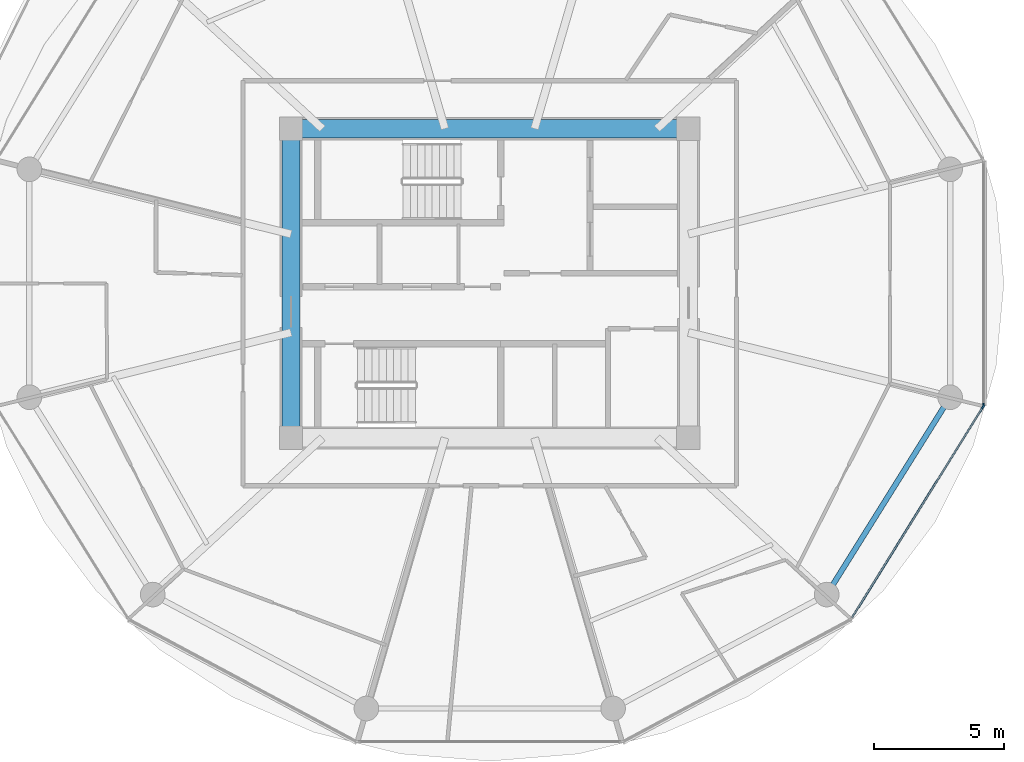
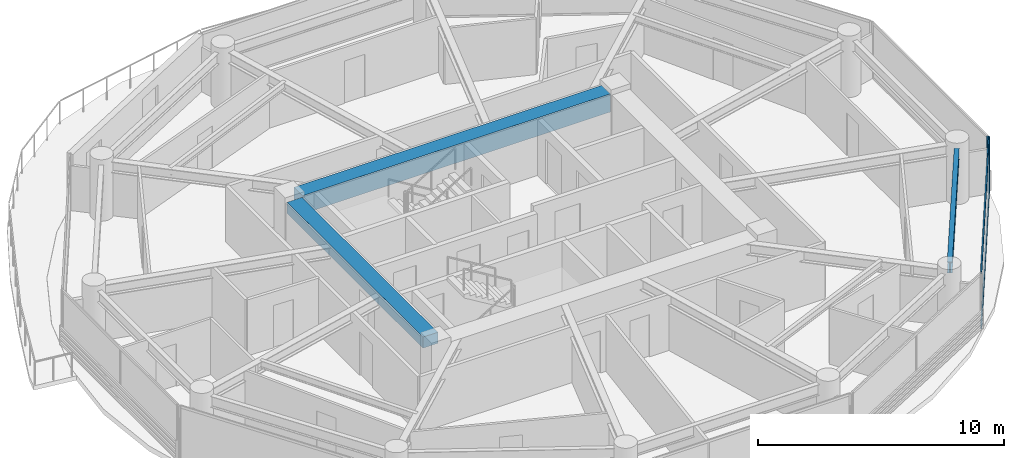
# One storey, part 11 of 26: 4 members, 3 beams, 2 elements without a shape of their own.
"""IFC4 building model written with IfcOpenShell, lengths in metres."""

from ifc_helpers import new_model, si_unit, direction, frame, origin, origin_2d, place, context, subcontext, project, spatial, rectangle, i_section, extrude, source, transform, mapped, material, layer, layer_set, material_profile, profile_set, type_object, type_shapes, element, aggregate, save


model = new_model("IFC4")

# Units and contexts
model_context = context("Model", 3, precision=1e-05, world=origin(), true_north=direction((0.0, 1.0)))
body_context = subcontext(model_context, "Body", "Model", "MODEL_VIEW")
ifc_project = project(units=[si_unit("LENGTHUNIT", "METRE"), si_unit("AREAUNIT", "SQUARE_METRE"), si_unit("VOLUMEUNIT", "CUBIC_METRE"), si_unit("PLANEANGLEUNIT", "RADIAN"), si_unit("MASSUNIT", "GRAM", prefix="KILO")], contexts=[model_context])

# Site, building, storey
site_placement = place(None, origin())
site = spatial("IfcSite", under=ifc_project, at=site_placement, CompositionType="ELEMENT")
building_placement = place(site_placement, origin())
building = spatial("IfcBuilding", under=site, at=building_placement, Name="Norrkilde Senior Care Towers", CompositionType="ELEMENT")
storey_placement = place(building_placement, frame((0.0, 0.0, 64.300048828125)))
storey = spatial("IfcBuildingStorey", under=building, at=storey_placement, Name="L19", CompositionType="ELEMENT", Elevation=64.300048828125)

# Beams
ifc_material_1 = material(Name="Concrete C60/75", Category="concrete")
ifc_material_profile_1 = material_profile(ifc_material_1, rectangle(XDim=0.699951171875, YDim=0.89990234375, at=origin_2d()), Name="RC BM 700x900")
ifc_profile_set_1 = profile_set([ifc_material_profile_1], Name="Concrete C60/75")
beam_type_1 = type_object("IfcBeamType", Name="Core Coupling Girder 700x900", PredefinedType="USERDEFINED", material=ifc_profile_set_1)
shared_shape_1 = source(origin(), body_context, "Body", "SweptSolid", [
    extrude(rectangle(XDim=0.699951171875, YDim=0.89990234375, at=origin_2d()), origin(), (0.0, 0.0, 1.0), 14.43994140625),
])
type_shapes(beam_type_1, [shared_shape_1])
beam_1_placement = place(storey_placement, frame((20.780029296875, 5.949951171875, 2.33984375), z_axis=(1.0, 0.0, 0.0), x_axis=(0.0, 1.0, 0.0)))
element("IfcBeam", 1, at=beam_1_placement, inside=storey, type_object=beam_type_1, Name="L19 Core E N Coupling Girder", ObjectType="GIRDER", PredefinedType="USERDEFINED", context=body_context, shape_type="MappedRepresentation", body=[
    mapped(shared_shape_1, transform((0.0, 0.0, 0.0), x_axis=(1.0, 0.0, 0.0), y_axis=(0.0, 1.0, 0.0), z_axis=(0.0, 0.0, 1.0), scale=1.0)),
])
ifc_material_profile_2 = material_profile(ifc_material_1, rectangle(XDim=0.699951171875, YDim=0.550048828125, at=origin_2d()), Name="RC BM 700x550")
ifc_profile_set_2 = profile_set([ifc_material_profile_2], Name="Concrete C60/75")
beam_type_2 = type_object("IfcBeamType", Name="Core Portal Coupling Beam 700x550", PredefinedType="USERDEFINED", material=ifc_profile_set_2)
shared_shape_2 = source(origin(), body_context, "Body", "SweptSolid", [
    extrude(rectangle(XDim=0.699951171875, YDim=0.550048828125, at=origin_2d()), origin(), (0.0, 0.0, 1.0), 11.0400390625),
])
type_shapes(beam_type_2, [shared_shape_2])
beam_2_placement = place(storey_placement, frame((20.35009765625, -5.52001953125, 2.514892578125), z_axis=(0.0, 1.0, 0.0), x_axis=(-1.0, 0.0, 0.0)))
element("IfcBeam", 2, at=beam_2_placement, inside=storey, type_object=beam_type_2, Name="L19 Core E W Coupling Girder", ObjectType="GIRDER", PredefinedType="USERDEFINED", context=body_context, shape_type="MappedRepresentation", body=[
    mapped(shared_shape_2, transform((0.0, 0.0, 0.0), x_axis=(1.0, 0.0, 0.0), y_axis=(0.0, 1.0, 0.0), z_axis=(0.0, 0.0, 1.0), scale=1.0)),
])
ifc_material_2 = material(Name="Steel S355", Category="steel")
ifc_material_profile_3 = material_profile(ifc_material_2, i_section(OverallWidth=0.2099609375, OverallDepth=0.550048828125, WebThickness=0.010986328125, FlangeThickness=0.01708984375, FilletRadius=0.02392578125, at=origin_2d()), Name="IPE 550")
ifc_profile_set_3 = profile_set([ifc_material_profile_3], Name="Steel S355")
beam_type_3 = type_object("IfcBeamType", Name="Perimeter Ring Spandrel Z1 IPE550", PredefinedType="SPANDREL", material=ifc_profile_set_3)
shared_shape_3 = source(origin(), body_context, "Body", "SweptSolid", [
    extrude(i_section(OverallWidth=0.2099609375, OverallDepth=0.550048828125, WebThickness=0.010986328125, FlangeThickness=0.01708984375, FilletRadius=0.02392578125, at=origin_2d()), origin(), (0.0, 0.0, 1.0), 8.090576171875),
])
type_shapes(beam_type_3, [shared_shape_3])
beam_3_placement = place(storey_placement, frame((41.2060546875, -11.61669921875, 2.514892578125), z_axis=(0.530004364821, 0.84799491347, 0.0), x_axis=(-0.84799491347, 0.530004364821, 0.0)))
element("IfcBeam", 3, at=beam_3_placement, inside=storey, type_object=beam_type_3, Name="L19 Drum E Perimeter Spandrel 11", PredefinedType="SPANDREL", context=body_context, shape_type="MappedRepresentation", body=[
    mapped(shared_shape_3, transform((0.0, 0.0, 0.0), x_axis=(1.0, 0.0, 0.0), y_axis=(0.0, 1.0, 0.0), z_axis=(0.0, 0.0, 1.0), scale=1.0)),
])

# Curtain wall, member
ifc_material_3 = material(Name="Triple Low-E Insulated Glazing", Category="glass")
ifc_layer = layer(ifc_material_3, 0.199951171875)
ifc_layer_set = layer_set([ifc_layer], Name="Triple Low-E Insulated Glazing")
curtain_wall_type = type_object("IfcCurtainWallType", Name="CW2 Zone 1 Memory Care Curtain Wall", PredefinedType="NOTDEFINED", material=ifc_layer_set)
curtain_wall_1_placement = place(storey_placement, origin())
curtain_wall_1 = element("IfcCurtainWall", 4, at=curtain_wall_1_placement, inside=storey, type_object=curtain_wall_type, Name="L19 Drum E Curtain Wall 10", PredefinedType="NOTDEFINED")
ifc_material_4 = material(Name="Anodised Aluminium", Category="aluminium")
ifc_material_profile_4 = material_profile(ifc_material_4, rectangle(XDim=0.06494140625, YDim=0.159912109375, at=origin_2d()), Name="ALU MULL 65x160")
ifc_profile_set_4 = profile_set([ifc_material_profile_4], Name="Anodised Aluminium")
member_type_1 = type_object("IfcMemberType", Name="Curtain Wall Mullion Z1-Z2 65x160", PredefinedType="MULLION", material=ifc_profile_set_4)
shared_shape_4 = source(origin(), body_context, "Body", "SweptSolid", [
    extrude(rectangle(XDim=0.06494140625, YDim=0.159912109375, at=origin_2d()), origin(), (0.0, 0.0, 1.0), 2.7900390625),
])
type_shapes(member_type_1, [shared_shape_4])
member_1_placement = place(storey_placement, frame((46.9921875, -4.7587890625, 0.0), z_axis=(0.0, 0.0, 1.0), x_axis=(0.849305943117, -0.527900951871, 0.0)))
member_1 = element("IfcMember", 5, at=member_1_placement, type_object=member_type_1, Name="CW-2 mullion 1", PredefinedType="MULLION", context=body_context, shape_type="MappedRepresentation", body=[
    mapped(shared_shape_4, transform((0.0, 0.0, 0.0), x_axis=(1.0, 0.0, 0.0), y_axis=(0.0, 1.0, 0.0), z_axis=(0.0, 0.0, 1.0), scale=1.0)),
])

curtain_wall_2_placement = place(storey_placement, origin())
curtain_wall_2 = element("IfcCurtainWall", 6, at=curtain_wall_2_placement, inside=storey, type_object=curtain_wall_type, Name="L19 Drum E Curtain Wall 11", PredefinedType="NOTDEFINED")
member_2_placement = place(storey_placement, frame((47.009521484375, -4.69873046875, 0.0), z_axis=(0.0, 0.0, 1.0), x_axis=(1.0, 0.0, 0.0)))
member_2 = element("IfcMember", 7, at=member_2_placement, type_object=member_type_1, Name="CW-2 mullion 2", PredefinedType="MULLION", context=body_context, shape_type="MappedRepresentation", body=[
    mapped(shared_shape_4, transform((0.0, 0.0, 0.0), x_axis=(1.0, 0.0, 0.0), y_axis=(0.0, 1.0, 0.0), z_axis=(0.0, 0.0, 1.0), scale=1.0)),
])
aggregate(curtain_wall_2, [member_2])

# Member
ifc_material_profile_5 = material_profile(ifc_material_4, rectangle(XDim=0.06005859375, YDim=0.1201171875, at=origin_2d()), Name="ALU TRAN 60x120")
ifc_profile_set_5 = profile_set([ifc_material_profile_5], Name="Anodised Aluminium")
member_type_2 = type_object("IfcMemberType", Name="Curtain Wall Transom Typical 60x120", PredefinedType="USERDEFINED", material=ifc_profile_set_5)
shared_shape_5 = source(origin(), body_context, "Body", "SweptSolid", [
    extrude(rectangle(XDim=0.06005859375, YDim=0.1201171875, at=origin_2d()), origin(), (0.0, 0.0, 1.0), 9.5185546875),
])
type_shapes(member_type_2, [shared_shape_5])
member_3_placement = place(storey_placement, frame((46.97509765625, -4.786376953125, 0.030029296875), z_axis=(-0.527901620669, -0.849305527413, 0.0), x_axis=(0.849305527413, -0.527901620669, 0.0)))
member_3 = element("IfcMember", 8, at=member_3_placement, type_object=member_type_2, Name="CW-2 transom 1.1", ObjectType="TRANSOM", PredefinedType="USERDEFINED", context=body_context, shape_type="MappedRepresentation", body=[
    mapped(shared_shape_5, transform((0.0, 0.0, 0.0), x_axis=(1.0, 0.0, 0.0), y_axis=(0.0, 1.0, 0.0), z_axis=(0.0, 0.0, 1.0), scale=1.0)),
])

member_4_placement = place(storey_placement, frame((46.97509765625, -4.786376953125, 2.760009765625), z_axis=(-0.527901620669, -0.849305527413, 0.0), x_axis=(0.849305527413, -0.527901620669, 0.0)))
member_4 = element("IfcMember", 9, at=member_4_placement, type_object=member_type_2, Name="CW-2 transom 1.2", ObjectType="TRANSOM", PredefinedType="USERDEFINED", context=body_context, shape_type="MappedRepresentation", body=[
    mapped(shared_shape_5, transform((0.0, 0.0, 0.0), x_axis=(1.0, 0.0, 0.0), y_axis=(0.0, 1.0, 0.0), z_axis=(0.0, 0.0, 1.0), scale=1.0)),
])

aggregate(curtain_wall_1, [member_1, member_3, member_4])

save(model, "model.ifc")
